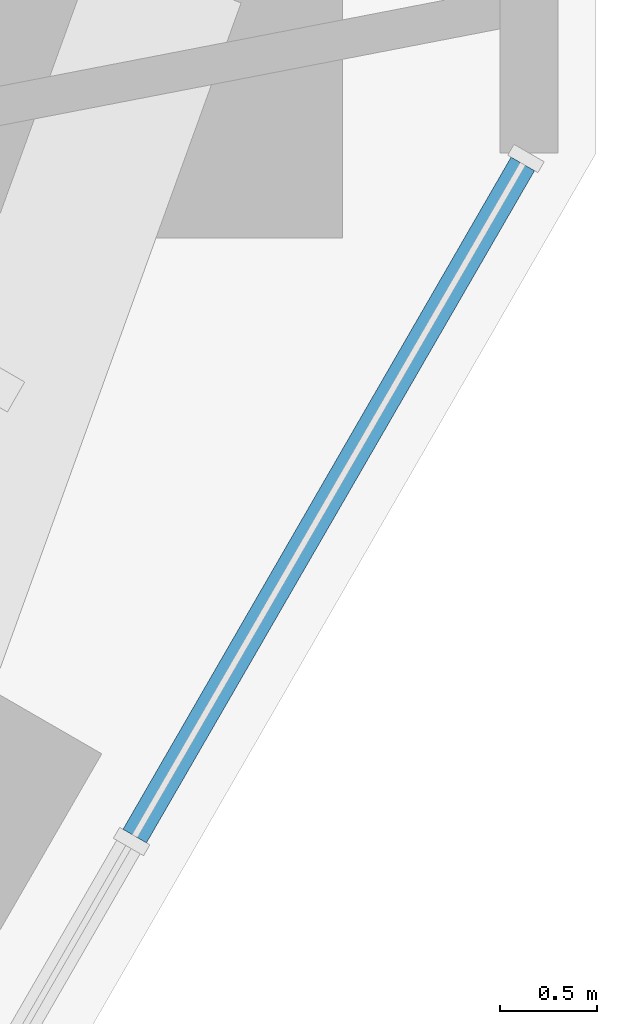
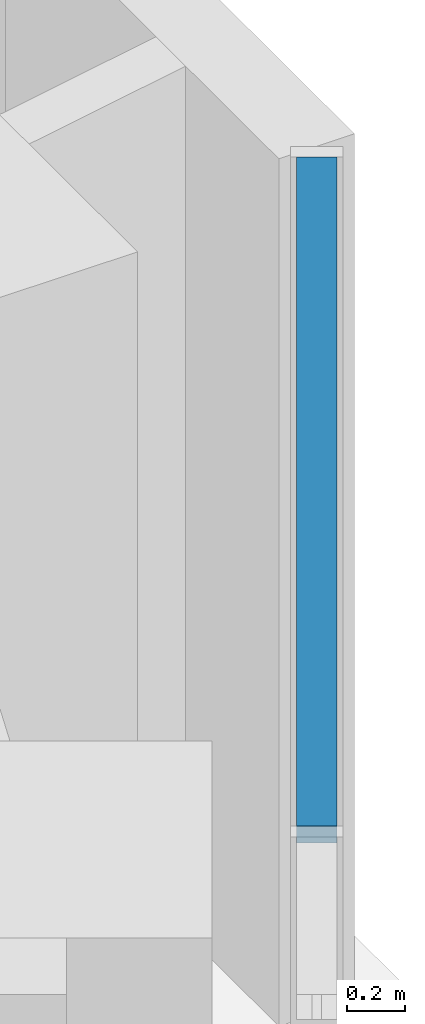
# One storey, part 6 of 16: 1 member, 1 element without a shape of its own.
"""IFC4 building model written with IfcOpenShell, lengths in metres."""

from ifc_helpers import new_model, si_unit, direction, frame, origin, origin_2d, place, context, subcontext, project, spatial, rectangle, extrude, material, material_profile, profile_set, type_object, element, aggregate, save


model = new_model("IFC4")

# Units and contexts
model_context = context("Model", 3, precision=1e-05, world=origin(), true_north=direction((0.0, 1.0)))
body_context = subcontext(model_context, "Body", "Model", "MODEL_VIEW")
ifc_project = project(units=[si_unit("LENGTHUNIT", "METRE"), si_unit("AREAUNIT", "SQUARE_METRE"), si_unit("VOLUMEUNIT", "CUBIC_METRE"), si_unit("PLANEANGLEUNIT", "RADIAN"), si_unit("MASSUNIT", "GRAM", prefix="KILO")], contexts=[model_context])

# Site, building, storey
site_placement = place(None, origin())
site = spatial("IfcSite", under=ifc_project, at=site_placement, CompositionType="ELEMENT")
building_placement = place(site_placement, origin())
building = spatial("IfcBuilding", under=site, at=building_placement, Name="Sandreach Pilgrim Tower", CompositionType="ELEMENT")
storey_placement = place(building_placement, frame((0.0, 0.0, 131.0)))
storey = spatial("IfcBuildingStorey", under=building, at=storey_placement, Name="L32", CompositionType="ELEMENT", Elevation=131.0)

# Curtain wall, member
ifc_material_1 = material(Name="Aluminium framed curtain wall", Category="aluminium")
curtain_wall_type = type_object("IfcCurtainWallType", Name="Hotel tower curtain wall", PredefinedType="NOTDEFINED", material=ifc_material_1)
curtain_wall_placement = place(storey_placement, origin())
curtain_wall = element("IfcCurtainWall", 1, at=curtain_wall_placement, inside=storey, type_object=curtain_wall_type, Name="CW-2 L32 SE", PredefinedType="NOTDEFINED")
ifc_material_2 = material(Name="Aluminium extrusion", Category="aluminium")
ifc_material_profile = material_profile(ifc_material_2, rectangle(XDim=0.139892578125, YDim=0.070068359375, at=origin_2d()), Name="CW-2T 140X70")
ifc_profile_set = profile_set([ifc_material_profile], Name="Aluminium extrusion")
member_type = type_object("IfcMemberType", Name="CW-2 transom", PredefinedType="USERDEFINED", material=ifc_profile_set)
member_placement = place(storey_placement, frame((28.6884765625, 4.7021484375, 3.60498046875), z_axis=(-0.500015851672, -0.866016251624, 0.0), x_axis=(0.866016251624, -0.500015851672, 0.0)))
member = element("IfcMember", 2, at=member_placement, type_object=member_type, Name="CW-2 head transom 1", ObjectType="TRANSOM", PredefinedType="USERDEFINED", context=body_context, shape_type="SweptSolid", body=[
    extrude(rectangle(XDim=0.139892578125, YDim=0.070068359375, at=origin_2d()), origin(), (0.0, 0.0, 1.0), 4.009521484375),
])
aggregate(curtain_wall, [member])

save(model, "model.ifc")
